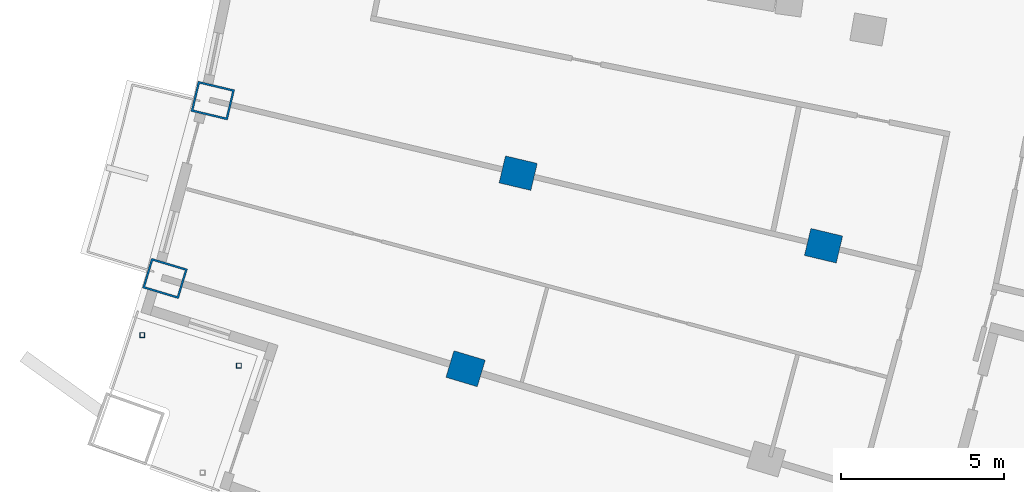
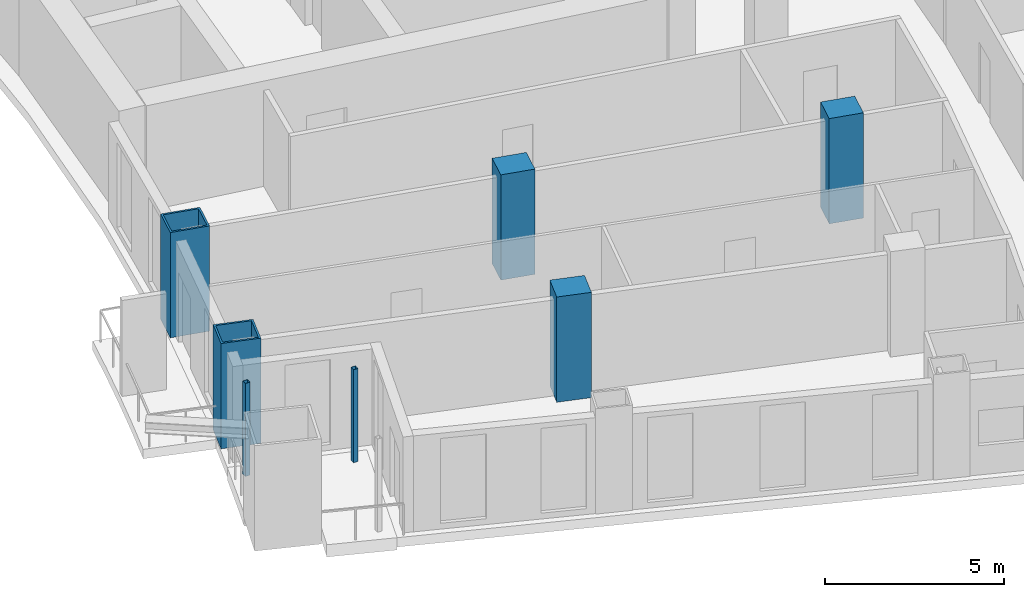
# One storey, part 3 of 24: 7 columns.
"""IFC4 building model written with IfcOpenShell, lengths in metres."""

from ifc_helpers import new_model, si_unit, direction, frame, origin, origin_2d, place, context, subcontext, project, spatial, rectangle, hollow_rectangle, extrude, material, material_profile, profile_set, type_object, element, save


model = new_model("IFC4")

# Units and contexts
model_context = context("Model", 3, precision=1e-05, world=origin(), true_north=direction((0.0, 1.0)))
body_context = subcontext(model_context, "Body", "Model", "MODEL_VIEW")
ifc_project = project(units=[si_unit("LENGTHUNIT", "METRE"), si_unit("AREAUNIT", "SQUARE_METRE"), si_unit("VOLUMEUNIT", "CUBIC_METRE"), si_unit("PLANEANGLEUNIT", "RADIAN"), si_unit("MASSUNIT", "GRAM", prefix="KILO")], contexts=[model_context])

# Site, building, storey
site_placement = place(None, origin())
site = spatial("IfcSite", under=ifc_project, at=site_placement, CompositionType="ELEMENT")
building_placement = place(site_placement, origin())
building = spatial("IfcBuilding", under=site, at=building_placement, Name="Alderwake Tower", CompositionType="ELEMENT")
storey_placement = place(building_placement, frame((0.0, 0.0, 96.800048828125)))
storey = spatial("IfcBuildingStorey", under=building, at=storey_placement, Name="L23", CompositionType="ELEMENT", Elevation=96.800048828125)

# Columns
ifc_material_1 = material(Name="Concrete C70/85", Category="concrete")
ifc_material_profile_1 = material_profile(ifc_material_1, rectangle(XDim=0.85009765625, YDim=1.0, at=origin_2d()), Name="RC 1000X850")
ifc_profile_set_1 = profile_set([ifc_material_profile_1], Name="Concrete C70/85")
column_type_1 = type_object("IfcColumnType", Name="Interior column Z2", PredefinedType="COLUMN", material=ifc_profile_set_1)
for number, where, z_axis, x_axis, name in (
    (1, (21.714599609375, 30.46240234375, 0.0), (0.0, 0.0, 1.0), (0.287549418125, 0.957765802342, 0.0), "Column R02-C1"),
    (2, (23.322021484375, 36.444091796875, 0.0), (0.0, 0.0, 1.0), (0.231221547198, 0.972901123502, 0.0), "Column R03-C1"),
    (3, (32.661865234375, 34.224609375, 0.0), (0.0, 0.0, 1.0), (0.231221547198, 0.972901123502, 0.0), "Column R03-C2"),
):
    element("IfcColumn", number, at=place(storey_placement, frame(where, z_axis=z_axis, x_axis=x_axis)), inside=storey, type_object=column_type_1, Name=name, PredefinedType="COLUMN", context=body_context, shape_type="SweptSolid", body=[
        extrude(rectangle(XDim=0.85009765625, YDim=1.0, at=origin_2d()), origin(), (0.0, 0.0, 1.0), 3.599853515625),
    ])
ifc_material_2 = material(Name="Steel ASTM A500 Grade C", Category="steel")
ifc_material_profile_2 = material_profile(ifc_material_2, hollow_rectangle(XDim=0.15234375, YDim=0.15234375, WallThickness=0.0087890625, at=origin_2d()), Name="HSS6X6X3/8")
ifc_profile_set_2 = profile_set([ifc_material_profile_2], Name="Steel ASTM A500 Grade C")
column_type_2 = type_object("IfcColumnType", Name="Light post HSS6X6X3/8", PredefinedType="COLUMN", material=ifc_profile_set_2)
for number, where, z_axis, x_axis, name in (
    (4, (11.82568359375, 31.492919921875, 0.0), (0.0, 0.0, 1.0), (1.0, 0.0, 0.0), "Terrace post RS1"),
    (5, (14.781494140625, 30.558349609375, 0.0), (0.0, 0.0, 1.0), (1.0, 0.0, 0.0), "Terrace post RS3"),
):
    element("IfcColumn", number, at=place(storey_placement, frame(where, z_axis=z_axis, x_axis=x_axis)), inside=storey, type_object=column_type_2, Name=name, PredefinedType="COLUMN", context=body_context, shape_type="SweptSolid", body=[
        extrude(hollow_rectangle(XDim=0.15234375, YDim=0.15234375, WallThickness=0.0087890625, at=origin_2d()), origin(), (0.0, 0.0, 1.0), 3.179931640625),
    ])
ifc_material_3 = material(Name="Steel ASTM A572 Grade 50 concrete filled C70/85", Category="concrete")
ifc_material_profile_3 = material_profile(ifc_material_3, hollow_rectangle(XDim=0.949951171875, YDim=1.14990234375, WallThickness=0.06005859375, at=origin_2d()), Name="BOX 1150X950X60")
ifc_profile_set_3 = profile_set([ifc_material_profile_3], Name="Steel ASTM A572 Grade 50 concrete filled C70/85")
column_type_3 = type_object("IfcColumnType", Name="Perimeter column Z2", PredefinedType="COLUMN", material=ifc_profile_set_3)
for number, where, z_axis, x_axis, name in (
    (6, (12.520263671875, 33.222900390625, 0.0), (0.0, 0.0, 1.0), (0.287549418125, 0.957765802342, 0.0), "Column R02-C0"),
    (7, (13.982177734375, 38.6640625, 0.0), (0.0, 0.0, 1.0), (0.231221547198, 0.972901123502, 0.0), "Column R03-C0"),
):
    element("IfcColumn", number, at=place(storey_placement, frame(where, z_axis=z_axis, x_axis=x_axis)), inside=storey, type_object=column_type_3, Name=name, PredefinedType="COLUMN", context=body_context, shape_type="SweptSolid", body=[
        extrude(hollow_rectangle(XDim=0.949951171875, YDim=1.14990234375, WallThickness=0.06005859375, at=origin_2d()), origin(), (0.0, 0.0, 1.0), 3.599853515625),
    ])

save(model, "model.ifc")
